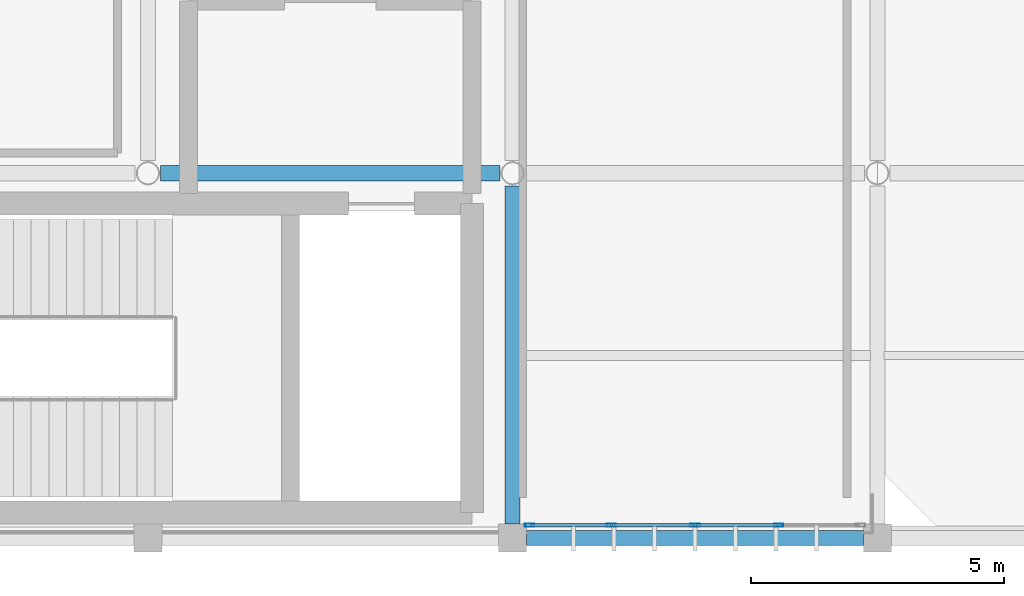
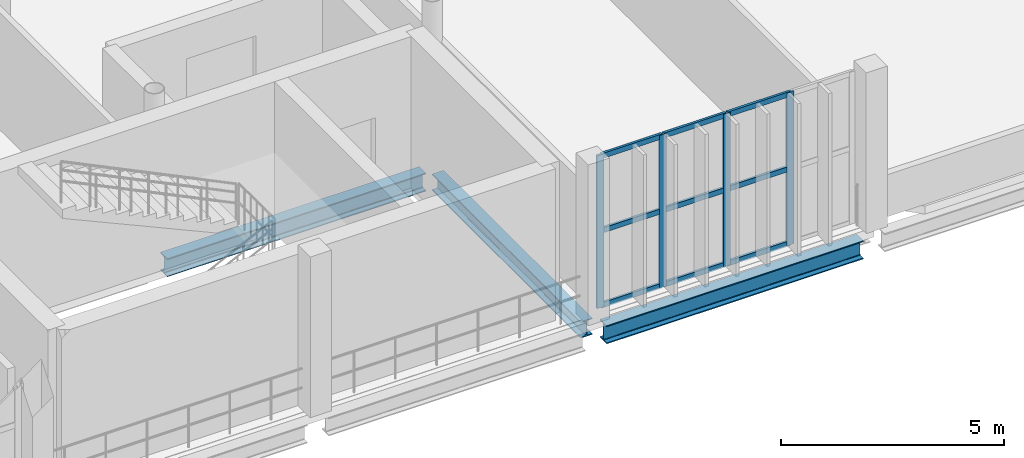
# One storey, part 29 of 81: 13 members, 3 beams, 1 element without a shape of its own.
"""IFC4 building model written with IfcOpenShell, lengths in metres."""

import ifcopenshell
import ifcopenshell.guid

model = None  # the IFC model being written
_history = None  # IfcOwnerHistory: only IFC2X3 demands one
_inside = {}  # id of a spatial element -> (the spatial element, [elements in it])
_under = {}  # id of a project, library or spatial element -> (it, [spatial elements below it])
_declared = {}  # id of a project -> (the project, [libraries it declares])
_typed = {}  # id of a type object -> (the type object, [elements of that type])
_made_of = {}  # id of a material, layer set ... -> (it, [elements and type objects made of it])


def new_model(schema):
    """Start an empty IFC model of exactly this schema.

    Asked for "IFC4X3", IfcOpenShell would pick the latest addendum, in which some entities
    have other attributes; the version numbers below select the first issue.
    IFC2X3 requires an IfcOwnerHistory on every rooted entity: one is made here for all.
    """
    global model, _history
    if schema == "IFC4X3":
        model = ifcopenshell.file(schema_version=(4, 3, 0, 0))
    else:
        model = ifcopenshell.file(schema=schema)
    _inside.clear()
    _under.clear()
    _declared.clear()
    _typed.clear()
    _made_of.clear()
    _history = None
    if model.schema == "IFC2X3":
        org = make("IfcOrganization", Name="unknown")
        user = make(
            "IfcPersonAndOrganization",
            ThePerson=make("IfcPerson", FamilyName="unknown"),
            TheOrganization=org,
        )
        app = make(
            "IfcApplication",
            ApplicationDeveloper=org,
            Version="unknown",
            ApplicationFullName="unknown",
            ApplicationIdentifier="unknown",
        )
        _history = make(
            "IfcOwnerHistory",
            OwningUser=user,
            OwningApplication=app,
            ChangeAction="ADDED",
            CreationDate=0,
        )
    return model


def make(cls, **values):
    """One entity of the class cls with the attributes given. An attribute that is None is left unset."""
    return model.create_entity(
        cls, **{name: value for name, value in values.items() if value is not None}
    )


def rooted(cls, **values):
    """An entity with a GlobalId (a new one), such as an element, a storey or a relation."""
    return make(cls, GlobalId=ifcopenshell.guid.new(), OwnerHistory=_history, **values)


def si_unit(unit_type, name, prefix=None):
    """IfcSIUnit, for example si_unit("LENGTHUNIT", "METRE", prefix="MILLI")."""
    return make("IfcSIUnit", UnitType=unit_type, Prefix=prefix, Name=name)


def assignment(units):
    """IfcUnitAssignment: the units of a project."""
    return None if units is None else make("IfcUnitAssignment", Units=units)


def point(xyz):
    """IfcCartesianPoint."""
    return None if xyz is None else make("IfcCartesianPoint", Coordinates=xyz)


def direction(xyz):
    """IfcDirection."""
    return None if xyz is None else make("IfcDirection", DirectionRatios=xyz)


def frame(location, z_axis=None, x_axis=None):
    """IfcAxis2Placement3D, a coordinate frame: its origin and axes. An axis left out is left unset."""
    return make(
        "IfcAxis2Placement3D",
        Location=point(location),
        Axis=direction(z_axis),
        RefDirection=direction(x_axis),
    )


def frame_2d(location, x_axis=None):
    """IfcAxis2Placement2D, a coordinate frame in the plane: its origin and x axis."""
    return make(
        "IfcAxis2Placement2D", Location=point(location), RefDirection=direction(x_axis)
    )


def origin():
    """The frame at (0, 0, 0) with its axes left unset."""
    return frame((0.0, 0.0, 0.0))


def origin_2d():
    """The frame at (0, 0) in the plane with its x axis left unset."""
    return frame_2d((0.0, 0.0))


def place(relative_to, where):
    """IfcLocalPlacement: puts the frame where relative to a parent placement (None: the world)."""
    return make(
        "IfcLocalPlacement", PlacementRelTo=relative_to, RelativePlacement=where
    )


def context(
    kind, dimensions, precision=None, world=None, true_north=None, identifier=None
):
    """IfcGeometricRepresentationContext, for example the 3D "Model" context."""
    return make(
        "IfcGeometricRepresentationContext",
        ContextIdentifier=identifier,
        ContextType=kind,
        CoordinateSpaceDimension=dimensions,
        Precision=precision,
        WorldCoordinateSystem=world,
        TrueNorth=true_north,
    )


def subcontext(parent, identifier, kind, view, scale=None):
    """IfcGeometricRepresentationSubContext, for example "Body" below "Model"."""
    return make(
        "IfcGeometricRepresentationSubContext",
        ContextIdentifier=identifier,
        ContextType=kind,
        ParentContext=parent,
        TargetScale=scale,
        TargetView=view,
    )


def project(units=None, contexts=None):
    """IfcProject with its units and contexts."""
    return rooted(
        "IfcProject",
        Name="project",
        RepresentationContexts=contexts,
        UnitsInContext=assignment(units),
    )


def spatial(cls, under=None, at=None, **own):
    """A site, building, storey or space (cls), placed at a placement, below another one or the project."""
    s = rooted(cls, ObjectPlacement=at, **own)
    if under is not None:
        _under.setdefault(under.id(), (under, []))[1].append(s)
    return s


def profile(cls, at=None, kind="AREA", **sizes):
    """A parametric profile (cls). Its sizes go by their IFC names, for example OverallWidth=200.0."""
    return make(cls, ProfileType=kind, Position=at, **sizes)


def hollow_rectangle(**sizes):
    """IfcRectangleHollowProfileDef."""
    return profile("IfcRectangleHollowProfileDef", **sizes)


def i_section(**sizes):
    """IfcIShapeProfileDef."""
    return profile("IfcIShapeProfileDef", **sizes)


def extrude(swept, where, along, depth):
    """IfcExtrudedAreaSolid: the profile swept, set in the frame where, extruded along a direction by depth."""
    return make(
        "IfcExtrudedAreaSolid",
        SweptArea=swept,
        Position=where,
        ExtrudedDirection=direction(along),
        Depth=depth,
    )


def shape(context_of_items, identifier, shape_type, items):
    """IfcShapeRepresentation: the items that make up one representation, for example the "Body"."""
    return make(
        "IfcShapeRepresentation",
        ContextOfItems=context_of_items,
        RepresentationIdentifier=identifier,
        RepresentationType=shape_type,
        Items=items,
    )


def material(Name=None, Category=None):
    """IfcMaterial."""
    return make("IfcMaterial", Name=Name, Category=Category)


def material_profile(
    of_material, cross_section, Name=None, Category=None, Priority=None
):
    """IfcMaterialProfile: a cross section and its material."""
    return make(
        "IfcMaterialProfile",
        Name=Name,
        Material=of_material,
        Profile=cross_section,
        Priority=Priority,
        Category=Category,
    )


def profile_set(profiles, Name=None, composite=None):
    """IfcMaterialProfileSet."""
    return make(
        "IfcMaterialProfileSet",
        Name=Name,
        MaterialProfiles=profiles,
        CompositeProfile=composite,
    )


def made_of(thing, what):
    """Note that an element or type object is made of a material, layer set ...; save() writes the relation."""
    if what is not None:
        _made_of.setdefault(what.id(), (what, []))[1].append(thing)
    return thing


def type_object(cls, material=None, **own):
    """A type object (cls), such as IfcWallType, which elements share."""
    return made_of(rooted(cls, **own), material)


def element(
    cls,
    number,
    at=None,
    inside=None,
    cuts=None,
    type_object=None,
    material=None,
    context=None,
    identifier="Body",
    shape_type=None,
    held_by="IfcProductDefinitionShape",
    body=None,
    shapes=None,
    **own,
):
    """One element of the class cls, such as IfcWall. Its Tag is "e" and its number.

    at: its placement. inside: the storey or other place that contains it. cuts: it is an
    opening in that element (IfcRelVoidsElement). A single representation is given by context,
    identifier, shape_type and body (its items); several are given by shapes. held_by: the class
    of the entity that holds the representations. save() writes the other relations.
    """
    e = rooted(cls, Tag="e%d" % number, ObjectPlacement=at, **own)
    if body is not None:
        shapes = [shape(context, identifier, shape_type, body)]
    if shapes is not None:
        e.Representation = make(held_by, Representations=shapes)
    if inside is not None:
        _inside.setdefault(inside.id(), (inside, []))[1].append(e)
    if cuts is not None:
        rooted(
            "IfcRelVoidsElement", RelatingBuildingElement=cuts, RelatedOpeningElement=e
        )
    if type_object is not None:
        _typed.setdefault(type_object.id(), (type_object, []))[1].append(e)
    return made_of(e, material)


def aggregate(whole, parts):
    """IfcRelAggregates: a whole, such as a stair, and the parts it consists of."""
    return rooted("IfcRelAggregates", RelatingObject=whole, RelatedObjects=parts)


def save(model, path):
    """Write the relations noted so far, then the file.

    IfcRelAggregates (storeys below a building ...), IfcRelContainedInSpatialStructure (elements
    in a storey), IfcRelDefinesByType, IfcRelAssociatesMaterial and IfcRelDeclares: one each for
    every whole, place, type object, material and project.
    """
    for whole, parts in _under.values():
        aggregate(whole, parts)
    for where, things in _inside.values():
        rooted(
            "IfcRelContainedInSpatialStructure",
            RelatedElements=things,
            RelatingStructure=where,
        )
    for kind, things in _typed.values():
        rooted("IfcRelDefinesByType", RelatedObjects=things, RelatingType=kind)
    for what, things in _made_of.values():
        rooted("IfcRelAssociatesMaterial", RelatedObjects=things, RelatingMaterial=what)
    for by, libraries in _declared.values():
        rooted("IfcRelDeclares", RelatingContext=by, RelatedDefinitions=libraries)
    model.write(path)


model = new_model("IFC4")

# Units and contexts
model_context = context("Model", 3, precision=1e-05, world=origin(), true_north=direction((0.0, 1.0)))
body_context = subcontext(model_context, "Body", "Model", "MODEL_VIEW")
ifc_project = project(units=[si_unit("LENGTHUNIT", "METRE"), si_unit("AREAUNIT", "SQUARE_METRE"), si_unit("VOLUMEUNIT", "CUBIC_METRE"), si_unit("PLANEANGLEUNIT", "RADIAN"), si_unit("MASSUNIT", "GRAM", prefix="KILO")], contexts=[model_context])

# Site, building, storey
site_placement = place(None, origin())
site = spatial("IfcSite", under=ifc_project, at=site_placement, CompositionType="ELEMENT")
building_placement = place(site_placement, origin())
building = spatial("IfcBuilding", under=site, at=building_placement, Name="Qandorah Velis Arena", CompositionType="ELEMENT")
storey_placement = place(building_placement, frame((0.0, 0.0, 18.60009765625)))
storey = spatial("IfcBuildingStorey", under=building, at=storey_placement, Name="L04", CompositionType="ELEMENT", Elevation=18.60009765625)

# Curtain wall, members
ifc_material_1 = material(Name="Solar-control low-E double glazing", Category="glass")
curtain_wall_type = type_object("IfcCurtainWallType", Name="ARC-CW-SYS06", PredefinedType="USERDEFINED", material=ifc_material_1)
curtain_wall_placement = place(storey_placement, origin())
curtain_wall = element("IfcCurtainWall", 1, at=curtain_wall_placement, inside=storey, type_object=curtain_wall_type, Name="Unitised curtain wall L04-078", ObjectType="UNITISED CURTAIN WALL", PredefinedType="USERDEFINED")
ifc_material_2 = material(Name="Champagne-bronze anodized aluminium 6063-T6", Category="aluminium")
ifc_material_profile_1 = material_profile(ifc_material_2, hollow_rectangle(XDim=0.06494140625, YDim=0.179931640625, WallThickness=0.00341796875, at=origin_2d()), Name="ALU MULLION 65x180")
ifc_profile_set_1 = profile_set([ifc_material_profile_1], Name="Champagne-bronze anodized aluminium 6063-T6")
member_type_1 = type_object("IfcMemberType", Name="ARC-CWM-180", PredefinedType="MULLION", material=ifc_profile_set_1)
member_1_placement = place(storey_placement, frame((86.732421875, 0.25, -0.01513671875), z_axis=(0.0, 0.0, 1.0), x_axis=(0.0, 1.0, 0.0)))
member_1 = element("IfcMember", 2, at=member_1_placement, type_object=member_type_1, Name="CW06 mullion 1", PredefinedType="MULLION", context=body_context, shape_type="SweptSolid", body=[
    extrude(hollow_rectangle(XDim=0.06494140625, YDim=0.179931640625, WallThickness=0.00341796875, at=origin_2d()), origin(), (0.0, 0.0, 1.0), 4.179931640625),
])
member_2_placement = place(storey_placement, frame((88.35009765625, 0.25, -0.01513671875), z_axis=(0.0, 0.0, 1.0), x_axis=(0.0, 1.0, 0.0)))
member_2 = element("IfcMember", 3, at=member_2_placement, type_object=member_type_1, Name="CW06 mullion 2", PredefinedType="MULLION", context=body_context, shape_type="SweptSolid", body=[
    extrude(hollow_rectangle(XDim=0.06494140625, YDim=0.179931640625, WallThickness=0.00341796875, at=origin_2d()), origin(), (0.0, 0.0, 1.0), 4.179931640625),
])
member_3_placement = place(storey_placement, frame((90.0, 0.25, -0.01513671875), z_axis=(0.0, 0.0, 1.0), x_axis=(0.0, 1.0, 0.0)))
member_3 = element("IfcMember", 4, at=member_3_placement, type_object=member_type_1, Name="CW06 mullion 3", PredefinedType="MULLION", context=body_context, shape_type="SweptSolid", body=[
    extrude(hollow_rectangle(XDim=0.06494140625, YDim=0.179931640625, WallThickness=0.00341796875, at=origin_2d()), origin(), (0.0, 0.0, 1.0), 4.179931640625),
])
member_4_placement = place(storey_placement, frame((91.64990234375, 0.25, -0.01513671875), z_axis=(0.0, 0.0, 1.0), x_axis=(0.0, 1.0, 0.0)))
member_4 = element("IfcMember", 5, at=member_4_placement, type_object=member_type_1, Name="CW06 mullion 4", PredefinedType="MULLION", context=body_context, shape_type="SweptSolid", body=[
    extrude(hollow_rectangle(XDim=0.06494140625, YDim=0.179931640625, WallThickness=0.00341796875, at=origin_2d()), origin(), (0.0, 0.0, 1.0), 4.179931640625),
])
ifc_material_profile_2 = material_profile(ifc_material_2, hollow_rectangle(XDim=0.06494140625, YDim=0.139892578125, WallThickness=0.0029296875, at=origin_2d()), Name="ALU TRANSOM 65x140")
ifc_profile_set_2 = profile_set([ifc_material_profile_2], Name="Champagne-bronze anodized aluminium 6063-T6")
member_type_2 = type_object("IfcMemberType", Name="ARC-CWT-140", PredefinedType="USERDEFINED", material=ifc_profile_set_2)
member_5_placement = place(storey_placement, frame((86.7529296875, 0.25, 0.032470703125), z_axis=(1.0, 0.0, 0.0), x_axis=(0.0, 1.0, 0.0)))
member_5 = element("IfcMember", 6, at=member_5_placement, type_object=member_type_2, Name="CW06 transom 1.1", ObjectType="TRANSOM", PredefinedType="USERDEFINED", context=body_context, shape_type="SweptSolid", body=[
    extrude(hollow_rectangle(XDim=0.06494140625, YDim=0.139892578125, WallThickness=0.0029296875, at=origin_2d()), origin(), (0.0, 0.0, 1.0), 1.57666015625),
])
member_6_placement = place(storey_placement, frame((86.7529296875, 0.25, 2.074951171875), z_axis=(1.0, 0.0, 0.0), x_axis=(0.0, 1.0, 0.0)))
member_6 = element("IfcMember", 7, at=member_6_placement, type_object=member_type_2, Name="CW06 transom 1.2", ObjectType="TRANSOM", PredefinedType="USERDEFINED", context=body_context, shape_type="SweptSolid", body=[
    extrude(hollow_rectangle(XDim=0.06494140625, YDim=0.139892578125, WallThickness=0.0029296875, at=origin_2d()), origin(), (0.0, 0.0, 1.0), 1.57666015625),
])
member_7_placement = place(storey_placement, frame((86.7529296875, 0.25, 4.117431640625), z_axis=(1.0, 0.0, 0.0), x_axis=(0.0, 1.0, 0.0)))
member_7 = element("IfcMember", 8, at=member_7_placement, type_object=member_type_2, Name="CW06 transom 1.3", ObjectType="TRANSOM", PredefinedType="USERDEFINED", context=body_context, shape_type="SweptSolid", body=[
    extrude(hollow_rectangle(XDim=0.06494140625, YDim=0.139892578125, WallThickness=0.0029296875, at=origin_2d()), origin(), (0.0, 0.0, 1.0), 1.57666015625),
])
member_8_placement = place(storey_placement, frame((88.37060546875, 0.25, 0.032470703125), z_axis=(1.0, 0.0, 0.0), x_axis=(0.0, 1.0, 0.0)))
member_8 = element("IfcMember", 9, at=member_8_placement, type_object=member_type_2, Name="CW06 transom 2.1", ObjectType="TRANSOM", PredefinedType="USERDEFINED", context=body_context, shape_type="SweptSolid", body=[
    extrude(hollow_rectangle(XDim=0.06494140625, YDim=0.139892578125, WallThickness=0.0029296875, at=origin_2d()), origin(), (0.0, 0.0, 1.0), 1.60888671875),
])
member_9_placement = place(storey_placement, frame((88.37060546875, 0.25, 2.074951171875), z_axis=(1.0, 0.0, 0.0), x_axis=(0.0, 1.0, 0.0)))
member_9 = element("IfcMember", 10, at=member_9_placement, type_object=member_type_2, Name="CW06 transom 2.2", ObjectType="TRANSOM", PredefinedType="USERDEFINED", context=body_context, shape_type="SweptSolid", body=[
    extrude(hollow_rectangle(XDim=0.06494140625, YDim=0.139892578125, WallThickness=0.0029296875, at=origin_2d()), origin(), (0.0, 0.0, 1.0), 1.60888671875),
])
member_10_placement = place(storey_placement, frame((88.37060546875, 0.25, 4.117431640625), z_axis=(1.0, 0.0, 0.0), x_axis=(0.0, 1.0, 0.0)))
member_10 = element("IfcMember", 11, at=member_10_placement, type_object=member_type_2, Name="CW06 transom 2.3", ObjectType="TRANSOM", PredefinedType="USERDEFINED", context=body_context, shape_type="SweptSolid", body=[
    extrude(hollow_rectangle(XDim=0.06494140625, YDim=0.139892578125, WallThickness=0.0029296875, at=origin_2d()), origin(), (0.0, 0.0, 1.0), 1.60888671875),
])
member_11_placement = place(storey_placement, frame((90.0205078125, 0.25, 0.032470703125), z_axis=(1.0, 0.0, 0.0), x_axis=(0.0, 1.0, 0.0)))
member_11 = element("IfcMember", 12, at=member_11_placement, type_object=member_type_2, Name="CW06 transom 3.1", ObjectType="TRANSOM", PredefinedType="USERDEFINED", context=body_context, shape_type="SweptSolid", body=[
    extrude(hollow_rectangle(XDim=0.06494140625, YDim=0.139892578125, WallThickness=0.0029296875, at=origin_2d()), origin(), (0.0, 0.0, 1.0), 1.60888671875),
])
member_12_placement = place(storey_placement, frame((90.0205078125, 0.25, 2.074951171875), z_axis=(1.0, 0.0, 0.0), x_axis=(0.0, 1.0, 0.0)))
member_12 = element("IfcMember", 13, at=member_12_placement, type_object=member_type_2, Name="CW06 transom 3.2", ObjectType="TRANSOM", PredefinedType="USERDEFINED", context=body_context, shape_type="SweptSolid", body=[
    extrude(hollow_rectangle(XDim=0.06494140625, YDim=0.139892578125, WallThickness=0.0029296875, at=origin_2d()), origin(), (0.0, 0.0, 1.0), 1.60888671875),
])
member_13_placement = place(storey_placement, frame((90.0205078125, 0.25, 4.117431640625), z_axis=(1.0, 0.0, 0.0), x_axis=(0.0, 1.0, 0.0)))
member_13 = element("IfcMember", 14, at=member_13_placement, type_object=member_type_2, Name="CW06 transom 3.3", ObjectType="TRANSOM", PredefinedType="USERDEFINED", context=body_context, shape_type="SweptSolid", body=[
    extrude(hollow_rectangle(XDim=0.06494140625, YDim=0.139892578125, WallThickness=0.0029296875, at=origin_2d()), origin(), (0.0, 0.0, 1.0), 1.60888671875),
])
aggregate(curtain_wall, [member_1, member_2, member_3, member_4, member_5, member_6, member_7, member_8, member_9, member_10, member_11, member_12, member_13])

# Beams
ifc_material_3 = material(Name="Steel S355", Category="steel")
ifc_material_profile_3 = material_profile(ifc_material_3, i_section(OverallWidth=0.300048828125, OverallDepth=0.449951171875, WebThickness=0.013916015625, FlangeThickness=0.02587890625, FilletRadius=0.027099609375, at=origin_2d()), Name="HEB 450")
ifc_profile_set_3 = profile_set([ifc_material_profile_3], Name="Steel S355")
beam_type_1 = type_object("IfcBeamType", Name="STR-BM-HEB450", PredefinedType="BEAM", material=ifc_profile_set_3)
beam_1_placement = place(storey_placement, frame((86.39990234375, 0.27490234375, -0.4951171875), z_axis=(0.0, 1.0, 0.0), x_axis=(-1.0, 0.0, 0.0)))
element("IfcBeam", 15, at=beam_1_placement, inside=storey, type_object=beam_type_1, Name="Primary floor girder L04 Y-230", PredefinedType="BEAM", context=body_context, shape_type="SweptSolid", body=[
    extrude(i_section(OverallWidth=0.300048828125, OverallDepth=0.449951171875, WebThickness=0.013916015625, FlangeThickness=0.02587890625, FilletRadius=0.027099609375, at=origin_2d()), origin(), (0.0, 0.0, 1.0), 6.675048828125),
])
ifc_material_profile_4 = material_profile(ifc_material_3, i_section(OverallWidth=0.300048828125, OverallDepth=0.5, WebThickness=0.014404296875, FlangeThickness=0.028076171875, FilletRadius=0.027099609375, at=origin_2d()), Name="HEB 500")
ifc_profile_set_4 = profile_set([ifc_material_profile_4], Name="Steel S355")
beam_type_2 = type_object("IfcBeamType", Name="STR-BM-HEB500", PredefinedType="BEAM", material=ifc_profile_set_4)
beam_2_placement = place(storey_placement, frame((86.675048828125, 0.0, -0.52001953125), z_axis=(1.0, 0.0, 0.0), x_axis=(0.0, 1.0, 0.0)))
element("IfcBeam", 16, at=beam_2_placement, inside=storey, type_object=beam_type_2, Name="Primary floor girder L04 X-009", PredefinedType="BEAM", context=body_context, shape_type="SweptSolid", body=[
    extrude(i_section(OverallWidth=0.300048828125, OverallDepth=0.5, WebThickness=0.014404296875, FlangeThickness=0.028076171875, FilletRadius=0.027099609375, at=origin_2d()), origin(), (0.0, 0.0, 1.0), 6.64990234375),
])
beam_3_placement = place(storey_placement, frame((79.449951171875, 7.199951171875, -0.52001953125), z_axis=(1.0, 0.0, 0.0), x_axis=(0.0, 1.0, 0.0)))
element("IfcBeam", 17, at=beam_3_placement, inside=storey, type_object=beam_type_2, Name="Primary floor girder L04 X-020", PredefinedType="BEAM", context=body_context, shape_type="SweptSolid", body=[
    extrude(i_section(OverallWidth=0.300048828125, OverallDepth=0.5, WebThickness=0.014404296875, FlangeThickness=0.028076171875, FilletRadius=0.027099609375, at=origin_2d()), origin(), (0.0, 0.0, 1.0), 6.699951171875),
])

save(model, "model.ifc")
